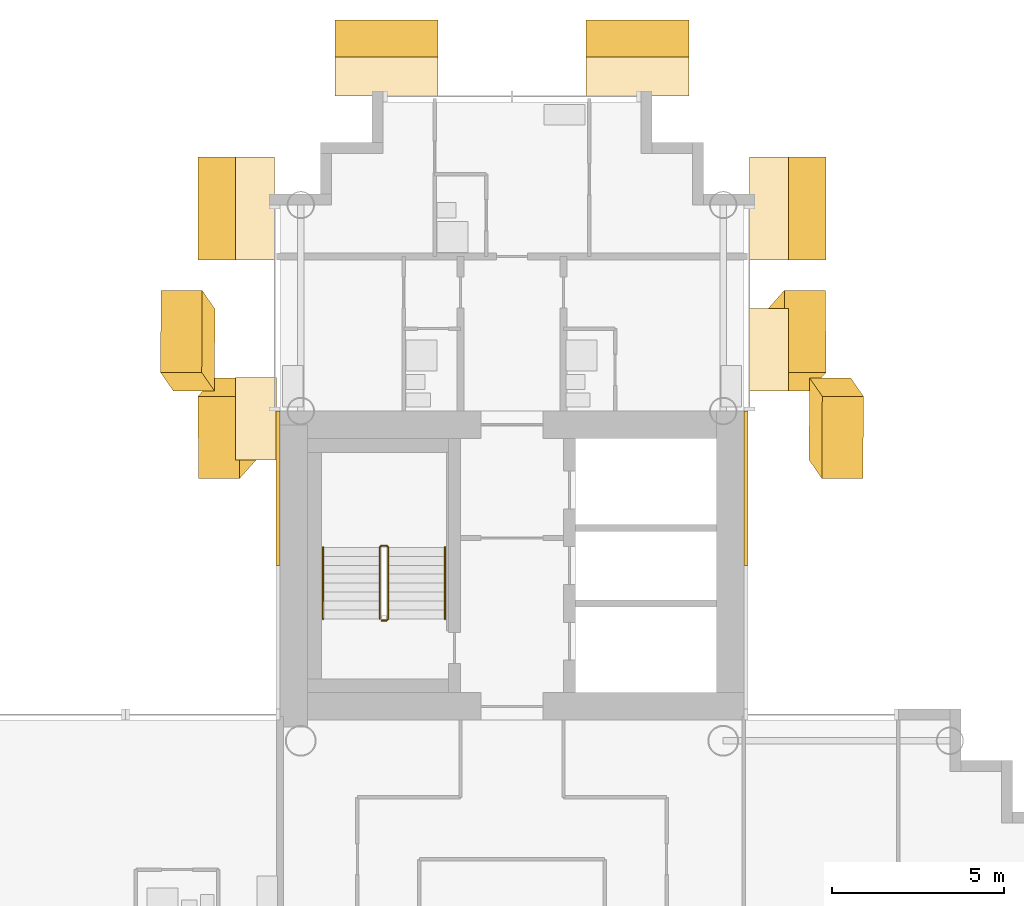
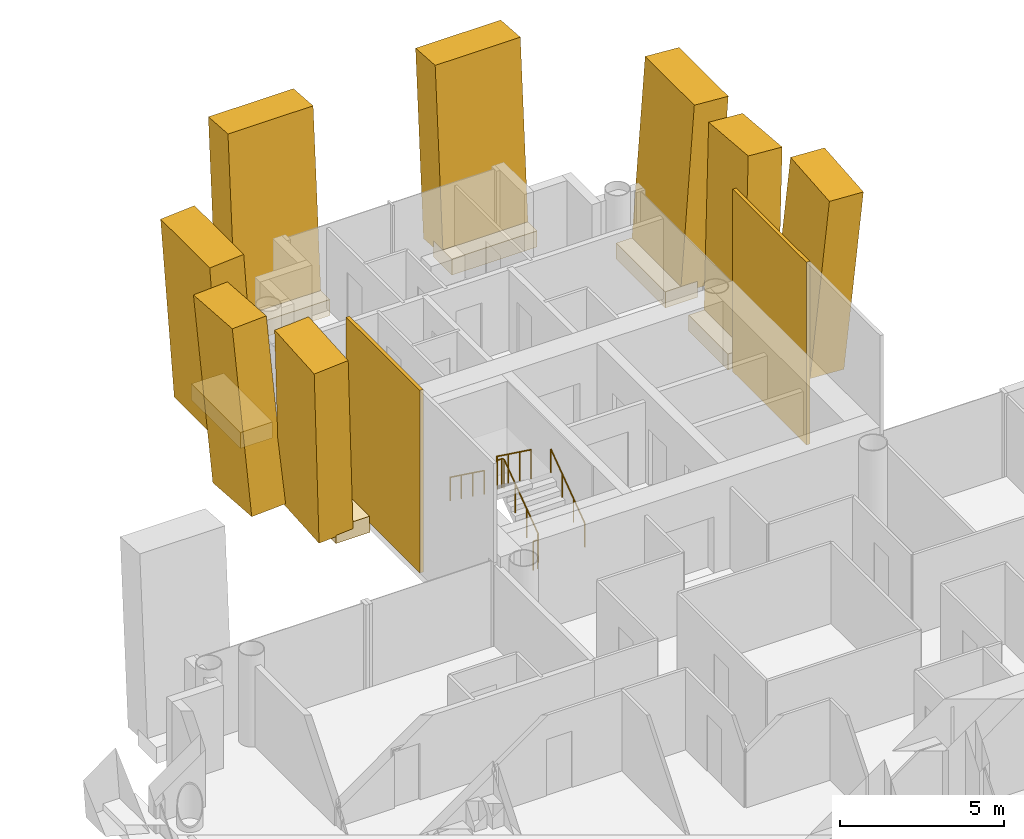
# One storey, part 17 of 18: 16 coverings, 3 railings.
"""IFC4 building model written with IfcOpenShell, lengths in metres."""

from ifc_helpers import new_model, si_unit, direction, frame, origin, origin_2d, place, context, subcontext, project, spatial, rectangle, circle, extrude, material, layer, layer_set, material_profile, profile_set, type_object, element, save


model = new_model("IFC4")

# Units and contexts
model_context = context("Model", 3, precision=1e-05, world=origin(), true_north=direction((0.0, 1.0)))
body_context = subcontext(model_context, "Body", "Model", "MODEL_VIEW")
ifc_project = project(units=[si_unit("LENGTHUNIT", "METRE"), si_unit("AREAUNIT", "SQUARE_METRE"), si_unit("VOLUMEUNIT", "CUBIC_METRE"), si_unit("PLANEANGLEUNIT", "RADIAN"), si_unit("MASSUNIT", "GRAM", prefix="KILO")], contexts=[model_context])

# Site, building, storey
site_placement = place(None, origin())
site = spatial("IfcSite", under=ifc_project, at=site_placement, CompositionType="ELEMENT")
building_placement = place(site_placement, origin())
building = spatial("IfcBuilding", under=site, at=building_placement, Name="Ipe Terrace Towers", CompositionType="ELEMENT")
storey_placement = place(building_placement, frame((0.0, 0.0, 164.300048828125)))
storey = spatial("IfcBuildingStorey", under=building, at=storey_placement, Name="L45", CompositionType="ELEMENT", Elevation=164.300048828125)

# Coverings
ifc_material_1 = material(Name="Concrete C50/60 precast, buff finish", Category="concrete")
ifc_layer = layer(ifc_material_1, 0.1201171875)
ifc_layer_set = layer_set([ifc_layer], Name="STONE CORE CLADDING 120")
covering_type_1 = type_object("IfcCoveringType", Name="STONE CORE CLADDING 120", PredefinedType="CLADDING", material=ifc_layer_set)
for number, where, z_axis, x_axis, name in (
    (1, (29.18994140625, 13.5, 0.0), (0.0, 0.0, 1.0), (0.0, -1.0, 0.0), "stone core cladding"),
    (2, (42.81005859375, 13.5, 0.0), (0.0, 0.0, 1.0), (0.0, 1.0, 0.0), "stone core cladding"),
):
    element("IfcCovering", number, at=place(storey_placement, frame(where, z_axis=z_axis, x_axis=x_axis)), inside=storey, type_object=covering_type_1, Name=name, PredefinedType="CLADDING", context=body_context, shape_type="SweptSolid", body=[
        extrude(rectangle(XDim=4.5009765625, YDim=0.1201171875, at=origin_2d()), origin(), (0.0, 0.0, 1.0), 6.800048828125),
    ])
ifc_material_2 = material(Name="Concrete C50/60 precast, buff finish", Category="concrete")
ifc_material_profile_1 = material_profile(ifc_material_2, rectangle(XDim=2.39990234375, YDim=1.199951171875, at=origin_2d()), Name="STONE FIN 2400 x 1200")
ifc_profile_set_1 = profile_set([ifc_material_profile_1], Name="Concrete C50/60 precast, buff finish")
covering_type_2 = type_object("IfcCoveringType", Name="STONE FIN 2400 x 1200", PredefinedType="USERDEFINED", material=ifc_profile_set_1)
covering_1_placement = place(storey_placement, frame((26.74609375, 17.528076171875, 0.0), z_axis=(-0.054605660578, 0.079049555759, 0.995373994822), x_axis=(-0.004330103459, -0.996870687569, 0.078930871462)))
element("IfcCovering", 3, at=covering_1_placement, inside=storey, type_object=covering_type_2, Name="stone fin", ObjectType="FIN", PredefinedType="USERDEFINED", context=body_context, shape_type="SweptSolid", body=[
    extrude(rectangle(XDim=2.39990234375, YDim=1.199951171875, at=origin_2d()), origin(), (0.0, 0.0, 1.0), 6.83154296875),
])
for number, where, z_axis, x_axis, name in (
    (4, (27.946044921875, 15.52197265625, 0.0), (-0.070473971281, -0.078970833067, 0.994382736624), (0.005582823787, -0.99687692697, -0.078773247704), "stone fin"),
    (5, (44.053955078125, 17.528076171875, 0.0), (0.070473971281, 0.078970833067, 0.994382736624), (-0.005582823787, 0.99687692697, -0.078773247704), "stone fin"),
):
    element("IfcCovering", number, at=place(storey_placement, frame(where, z_axis=z_axis, x_axis=x_axis)), inside=storey, type_object=covering_type_2, Name=name, ObjectType="FIN", PredefinedType="USERDEFINED", context=body_context, shape_type="SweptSolid", body=[
        extrude(rectangle(XDim=2.39990234375, YDim=1.199951171875, at=origin_2d()), origin(), (0.0, 0.0, 1.0), 6.83837890625),
    ])
covering_2_placement = place(storey_placement, frame((45.25390625, 15.52197265625, 0.0), z_axis=(0.054605660578, -0.079049555759, 0.995373994822), x_axis=(0.004330103459, 0.996870687569, 0.078930871462)))
element("IfcCovering", 6, at=covering_2_placement, inside=storey, type_object=covering_type_2, Name="stone fin", ObjectType="FIN", PredefinedType="USERDEFINED", context=body_context, shape_type="SweptSolid", body=[
    extrude(rectangle(XDim=2.39990234375, YDim=1.199951171875, at=origin_2d()), origin(), (0.0, 0.0, 1.0), 6.83154296875),
])
ifc_material_3 = material(Name="Concrete C50/60 precast, buff finish", Category="concrete")
ifc_material_profile_2 = material_profile(ifc_material_3, rectangle(XDim=3.0, YDim=1.199951171875, at=origin_2d()), Name="STONE FIN CORNER 3000 x 1200")
ifc_profile_set_2 = profile_set([ifc_material_profile_2], Name="Concrete C50/60 precast, buff finish")
covering_type_3 = type_object("IfcCoveringType", Name="STONE FIN CORNER 3000 x 1200", PredefinedType="USERDEFINED", material=ifc_profile_set_2)
for number, where, z_axis, x_axis, name in (
    (7, (27.946044921875, 21.64990234375, 0.0), (-0.070694756168, 0.0, 0.997497995712), (0.0, -1.0, 0.0), "stone fin"),
    (8, (32.35009765625, 26.053955078125, 0.0), (0.0, 0.070694756168, 0.997497995712), (-1.0, 0.0, 0.0), "stone fin"),
    (9, (39.64990234375, 26.053955078125, 0.0), (0.0, 0.070694756168, 0.997497995712), (-1.0, 0.0, 0.0), "stone fin"),
    (10, (44.053955078125, 21.64990234375, 0.0), (0.070694756168, 0.0, 0.997497995712), (0.0, 1.0, 0.0), "stone fin"),
):
    element("IfcCovering", number, at=place(storey_placement, frame(where, z_axis=z_axis, x_axis=x_axis)), inside=storey, type_object=covering_type_3, Name=name, ObjectType="FIN", PredefinedType="USERDEFINED", context=body_context, shape_type="SweptSolid", body=[
        extrude(rectangle(XDim=3.0, YDim=1.199951171875, at=origin_2d()), origin(), (0.0, 0.0, 1.0), 6.817138671875),
    ])
ifc_material_4 = material(Name="Concrete C50/60 precast, buff finish", Category="concrete")
covering_type_4 = type_object("IfcCoveringType", Name="STONE FIN SHELF 2400 x 600", PredefinedType="CLADDING", material=ifc_material_4)
covering_3_placement = place(storey_placement, frame((28.54296875, 15.52197265625, -0.35009765625), z_axis=(0.0, 0.0, 1.0), x_axis=(0.0, -1.0, 0.0)))
element("IfcCovering", 11, at=covering_3_placement, inside=storey, type_object=covering_type_4, Name="stone fin shelf", PredefinedType="CLADDING", context=body_context, shape_type="SweptSolid", body=[
    extrude(rectangle(XDim=2.39990234375, YDim=1.194091796875, at=origin_2d()), origin(), (0.0, 0.0, 1.0), 0.60009765625),
])
covering_4_placement = place(storey_placement, frame((43.485107421875, 17.528076171875, -0.35009765625), z_axis=(0.0, 0.0, 1.0), x_axis=(0.0, 1.0, 0.0)))
element("IfcCovering", 12, at=covering_4_placement, inside=storey, type_object=covering_type_4, Name="stone fin shelf", PredefinedType="CLADDING", context=body_context, shape_type="SweptSolid", body=[
    extrude(rectangle(XDim=2.39990234375, YDim=1.137939453125, at=origin_2d()), origin(), (0.0, 0.0, 1.0), 0.60009765625),
])
ifc_material_5 = material(Name="Concrete C50/60 precast, buff finish", Category="concrete")
covering_type_5 = type_object("IfcCoveringType", Name="STONE FIN SHELF 3000 x 600", PredefinedType="CLADDING", material=ifc_material_5)
for number, where, z_axis, x_axis, name in (
    (13, (28.514892578125, 21.64990234375, -0.35009765625), (0.0, 0.0, 1.0), (0.0, -1.0, 0.0), "stone fin shelf"),
    (14, (32.35009765625, 25.485107421875, -0.35009765625), (0.0, 0.0, 1.0), (-1.0, 0.0, 0.0), "stone fin shelf"),
    (15, (39.64990234375, 25.485107421875, -0.35009765625), (0.0, 0.0, 1.0), (-1.0, 0.0, 0.0), "stone fin shelf"),
    (16, (43.485107421875, 21.64990234375, -0.35009765625), (0.0, 0.0, 1.0), (0.0, 1.0, 0.0), "stone fin shelf"),
):
    element("IfcCovering", number, at=place(storey_placement, frame(where, z_axis=z_axis, x_axis=x_axis)), inside=storey, type_object=covering_type_5, Name=name, PredefinedType="CLADDING", context=body_context, shape_type="SweptSolid", body=[
        extrude(rectangle(XDim=3.0, YDim=1.137939453125, at=origin_2d()), origin(), (0.0, 0.0, 1.0), 0.60009765625),
    ])

# Railings
ifc_material_6 = material(Name="Steel S355", Category="steel")
railing_type_1 = type_object("IfcRailingType", Name="Stair guard 1100", PredefinedType="GUARDRAIL", material=ifc_material_6)
railing_1_placement = place(storey_placement, frame((32.199951171875, 9.64990234375, 0.0)))
element("IfcRailing", 17, at=railing_1_placement, inside=storey, type_object=railing_type_1, Name="L45 T2-ST1 stair guard 1", PredefinedType="GUARDRAIL", context=body_context, shape_type="SweptSolid", body=[
    extrude(circle(Radius=0.02392578125, at=origin_2d()), frame((0.0, 0.0, 1.076171875), z_axis=(1.0, 0.0, 0.0), x_axis=(0.0, 1.0, 0.0)), (0.0, 0.0, 1.0), 0.150146484375),
    extrude(circle(Radius=0.02392578125, at=origin_2d()), frame((0.150146484375, 0.0, 1.076171875), z_axis=(0.247173786771, 0.248385422981, 0.936594790069), x_axis=(-0.708833529934, 0.705375805398, 0.0)), (0.0, 0.0, 1.0), 0.201416015625),
    extrude(circle(Radius=0.02392578125, at=origin_2d()), frame((0.199951171875, 0.050048828125, 1.2646484375), z_axis=(0.0, 0.809023421508, 0.587776406001), x_axis=(-1.0, 0.0, 0.0)), (0.0, 0.0, 1.0), 2.571044921875),
    extrude(circle(Radius=0.02392578125, at=origin_2d()), frame((0.199951171875, 2.130126953125, 2.77587890625), z_axis=(-0.705375805398, 0.708833529934, 0.0), x_axis=(-0.708833529934, -0.705375805398, 0.0)), (0.0, 0.0, 1.0), 0.070556640625),
    extrude(circle(Radius=0.02392578125, at=origin_2d()), frame((0.150146484375, 2.18017578125, 2.77587890625), z_axis=(-1.0, 0.0, 0.0), x_axis=(0.0, -1.0, 0.0)), (0.0, 0.0, 1.0), 0.150146484375),
    extrude(circle(Radius=0.02392578125, at=origin_2d()), frame((0.0, 2.18017578125, 2.77587890625), z_axis=(-0.248029566107, -0.248029566107, 0.936462849596), x_axis=(0.707106781187, -0.707106781187, 0.0)), (0.0, 0.0, 1.0), 0.201904296875),
    extrude(circle(Radius=0.02392578125, at=origin_2d()), frame((-0.050048828125, 2.130126953125, 2.96484375), z_axis=(0.0, -0.809068575486, 0.587714250432), x_axis=(1.0, 0.0, 0.0)), (0.0, 0.0, 1.0), 2.571044921875),
    extrude(circle(Radius=0.02099609375, at=origin_2d()), origin(), (0.0, 0.0, 1.0), 1.052001953125),
    extrude(circle(Radius=0.02099609375, at=origin_2d()), frame((0.150146484375, 0.0, 0.0)), (0.0, 0.0, 1.0), 1.052001953125),
    extrude(circle(Radius=0.02099609375, at=origin_2d()), frame((0.199951171875, 0.050048828125, 0.188720703125)), (0.0, 0.0, 1.0), 1.052001953125),
    extrude(circle(Radius=0.02099609375, at=origin_2d()), frame((0.199951171875, 0.743408203125, 0.6923828125)), (0.0, 0.0, 1.0), 1.052001953125),
    extrude(circle(Radius=0.02099609375, at=origin_2d()), frame((0.199951171875, 1.436767578125, 1.1962890625)), (0.0, 0.0, 1.0), 1.052001953125),
    extrude(circle(Radius=0.02099609375, at=origin_2d()), frame((0.199951171875, 2.130126953125, 1.699951171875)), (0.0, 0.0, 1.0), 1.052001953125),
    extrude(circle(Radius=0.02099609375, at=origin_2d()), frame((0.150146484375, 2.18017578125, 1.699951171875)), (0.0, 0.0, 1.0), 1.052001953125),
    extrude(circle(Radius=0.02099609375, at=origin_2d()), frame((0.0, 2.18017578125, 1.699951171875)), (0.0, 0.0, 1.0), 1.052001953125),
    extrude(circle(Radius=0.02099609375, at=origin_2d()), frame((-0.050048828125, 2.130126953125, 1.888916015625)), (0.0, 0.0, 1.0), 1.052001953125),
    extrude(circle(Radius=0.02099609375, at=origin_2d()), frame((-0.050048828125, 1.436767578125, 2.392578125)), (0.0, 0.0, 1.0), 1.052001953125),
    extrude(circle(Radius=0.02099609375, at=origin_2d()), frame((-0.050048828125, 0.743408203125, 2.896240234375)), (0.0, 0.0, 1.0), 1.052001953125),
    extrude(circle(Radius=0.02099609375, at=origin_2d()), frame((-0.050048828125, 0.050048828125, 3.39990234375)), (0.0, 0.0, 1.0), 1.052001953125),
])
ifc_material_7 = material(Name="Stainless steel grade 304", Category="steel")
railing_type_2 = type_object("IfcRailingType", Name="Stair handrail 900", PredefinedType="HANDRAIL", material=ifc_material_7)
railing_2_placement = place(storey_placement, frame((34.050048828125, 9.699951171875, 0.188720703125)))
element("IfcRailing", 18, at=railing_2_placement, inside=storey, type_object=railing_type_2, Name="L45 T2-ST1 stair handrail 1", PredefinedType="HANDRAIL", context=body_context, shape_type="SweptSolid", body=[
    extrude(circle(Radius=0.02392578125, at=origin_2d()), frame((0.0, 0.0, 0.8759765625), z_axis=(0.0, 0.809023421508, 0.587776406001), x_axis=(-1.0, 0.0, 0.0)), (0.0, 0.0, 1.0), 2.571044921875),
    extrude(circle(Radius=0.02099609375, at=origin_2d()), origin(), (0.0, 0.0, 1.0), 0.851806640625),
    extrude(circle(Radius=0.02099609375, at=origin_2d()), frame((0.0, 0.693359375, 0.503662109375)), (0.0, 0.0, 1.0), 0.851806640625),
    extrude(circle(Radius=0.02099609375, at=origin_2d()), frame((0.0, 1.38671875, 1.007568359375)), (0.0, 0.0, 1.0), 0.851806640625),
    extrude(circle(Radius=0.02099609375, at=origin_2d()), frame((0.0, 2.080078125, 1.51123046875)), (0.0, 0.0, 1.0), 0.851806640625),
])
railing_3_placement = place(storey_placement, frame((30.5, 11.780029296875, 1.888916015625)))
element("IfcRailing", 19, at=railing_3_placement, inside=storey, type_object=railing_type_2, Name="L45 T2-ST1 stair handrail 2", PredefinedType="HANDRAIL", context=body_context, shape_type="SweptSolid", body=[
    extrude(circle(Radius=0.02392578125, at=origin_2d()), frame((0.0, 0.0, 0.8759765625), z_axis=(0.0, -0.809068575486, 0.587714250432), x_axis=(1.0, 0.0, 0.0)), (0.0, 0.0, 1.0), 2.571044921875),
    extrude(circle(Radius=0.02099609375, at=origin_2d()), origin(), (0.0, 0.0, 1.0), 0.851806640625),
    extrude(circle(Radius=0.02099609375, at=origin_2d()), frame((0.0, -0.693359375, 0.503662109375)), (0.0, 0.0, 1.0), 0.851806640625),
    extrude(circle(Radius=0.02099609375, at=origin_2d()), frame((0.0, -1.38671875, 1.00732421875)), (0.0, 0.0, 1.0), 0.851806640625),
    extrude(circle(Radius=0.02099609375, at=origin_2d()), frame((0.0, -2.080078125, 1.510986328125)), (0.0, 0.0, 1.0), 0.851806640625),
])

save(model, "model.ifc")
